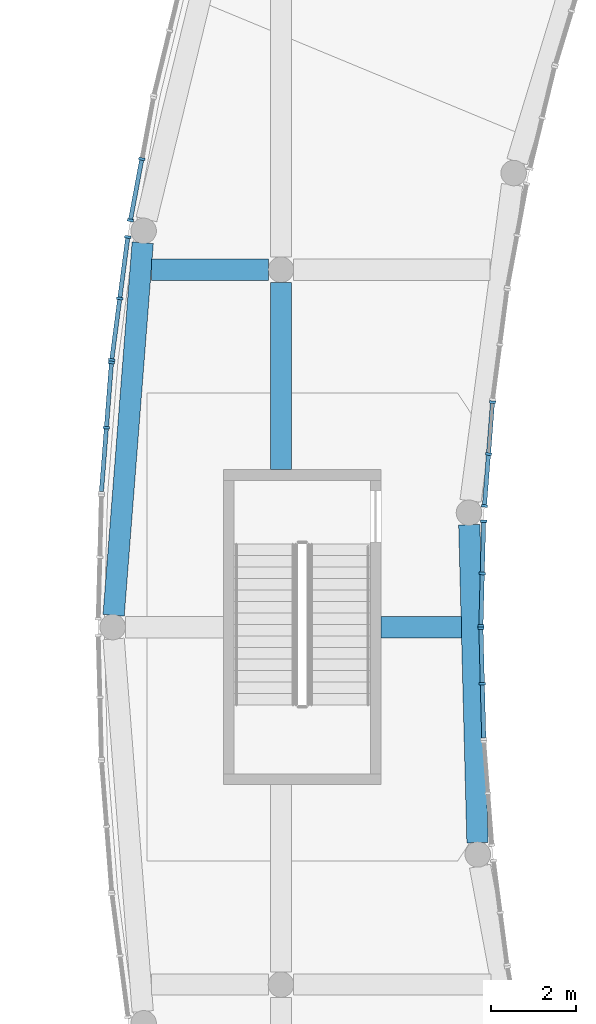
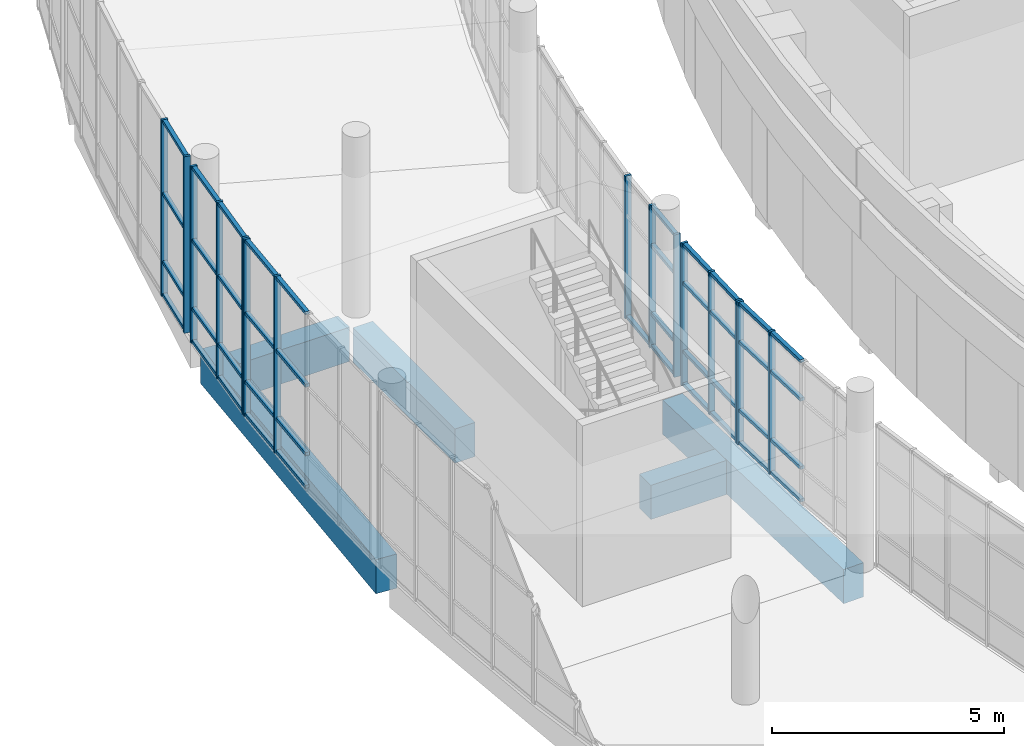
# One storey, part 19 of 119: 56 members, 5 beams, 6 elements without a shape of their own.
"""IFC4 building model written with IfcOpenShell, lengths in metres."""

import ifcopenshell
import ifcopenshell.guid

model = None  # the IFC model being written
_history = None  # IfcOwnerHistory: only IFC2X3 demands one
_inside = {}  # id of a spatial element -> (the spatial element, [elements in it])
_under = {}  # id of a project, library or spatial element -> (it, [spatial elements below it])
_declared = {}  # id of a project -> (the project, [libraries it declares])
_typed = {}  # id of a type object -> (the type object, [elements of that type])
_made_of = {}  # id of a material, layer set ... -> (it, [elements and type objects made of it])


def new_model(schema):
    """Start an empty IFC model of exactly this schema.

    Asked for "IFC4X3", IfcOpenShell would pick the latest addendum, in which some entities
    have other attributes; the version numbers below select the first issue.
    IFC2X3 requires an IfcOwnerHistory on every rooted entity: one is made here for all.
    """
    global model, _history
    if schema == "IFC4X3":
        model = ifcopenshell.file(schema_version=(4, 3, 0, 0))
    else:
        model = ifcopenshell.file(schema=schema)
    _inside.clear()
    _under.clear()
    _declared.clear()
    _typed.clear()
    _made_of.clear()
    _history = None
    if model.schema == "IFC2X3":
        org = make("IfcOrganization", Name="unknown")
        user = make(
            "IfcPersonAndOrganization",
            ThePerson=make("IfcPerson", FamilyName="unknown"),
            TheOrganization=org,
        )
        app = make(
            "IfcApplication",
            ApplicationDeveloper=org,
            Version="unknown",
            ApplicationFullName="unknown",
            ApplicationIdentifier="unknown",
        )
        _history = make(
            "IfcOwnerHistory",
            OwningUser=user,
            OwningApplication=app,
            ChangeAction="ADDED",
            CreationDate=0,
        )
    return model


def make(cls, **values):
    """One entity of the class cls with the attributes given. An attribute that is None is left unset."""
    return model.create_entity(
        cls, **{name: value for name, value in values.items() if value is not None}
    )


def rooted(cls, **values):
    """An entity with a GlobalId (a new one), such as an element, a storey or a relation."""
    return make(cls, GlobalId=ifcopenshell.guid.new(), OwnerHistory=_history, **values)


def si_unit(unit_type, name, prefix=None):
    """IfcSIUnit, for example si_unit("LENGTHUNIT", "METRE", prefix="MILLI")."""
    return make("IfcSIUnit", UnitType=unit_type, Prefix=prefix, Name=name)


def assignment(units):
    """IfcUnitAssignment: the units of a project."""
    return None if units is None else make("IfcUnitAssignment", Units=units)


def point(xyz):
    """IfcCartesianPoint."""
    return None if xyz is None else make("IfcCartesianPoint", Coordinates=xyz)


def direction(xyz):
    """IfcDirection."""
    return None if xyz is None else make("IfcDirection", DirectionRatios=xyz)


def frame(location, z_axis=None, x_axis=None):
    """IfcAxis2Placement3D, a coordinate frame: its origin and axes. An axis left out is left unset."""
    return make(
        "IfcAxis2Placement3D",
        Location=point(location),
        Axis=direction(z_axis),
        RefDirection=direction(x_axis),
    )


def frame_2d(location, x_axis=None):
    """IfcAxis2Placement2D, a coordinate frame in the plane: its origin and x axis."""
    return make(
        "IfcAxis2Placement2D", Location=point(location), RefDirection=direction(x_axis)
    )


def origin():
    """The frame at (0, 0, 0) with its axes left unset."""
    return frame((0.0, 0.0, 0.0))


def origin_2d():
    """The frame at (0, 0) in the plane with its x axis left unset."""
    return frame_2d((0.0, 0.0))


def place(relative_to, where):
    """IfcLocalPlacement: puts the frame where relative to a parent placement (None: the world)."""
    return make(
        "IfcLocalPlacement", PlacementRelTo=relative_to, RelativePlacement=where
    )


def context(
    kind, dimensions, precision=None, world=None, true_north=None, identifier=None
):
    """IfcGeometricRepresentationContext, for example the 3D "Model" context."""
    return make(
        "IfcGeometricRepresentationContext",
        ContextIdentifier=identifier,
        ContextType=kind,
        CoordinateSpaceDimension=dimensions,
        Precision=precision,
        WorldCoordinateSystem=world,
        TrueNorth=true_north,
    )


def subcontext(parent, identifier, kind, view, scale=None):
    """IfcGeometricRepresentationSubContext, for example "Body" below "Model"."""
    return make(
        "IfcGeometricRepresentationSubContext",
        ContextIdentifier=identifier,
        ContextType=kind,
        ParentContext=parent,
        TargetScale=scale,
        TargetView=view,
    )


def project(units=None, contexts=None):
    """IfcProject with its units and contexts."""
    return rooted(
        "IfcProject",
        Name="project",
        RepresentationContexts=contexts,
        UnitsInContext=assignment(units),
    )


def spatial(cls, under=None, at=None, **own):
    """A site, building, storey or space (cls), placed at a placement, below another one or the project."""
    s = rooted(cls, ObjectPlacement=at, **own)
    if under is not None:
        _under.setdefault(under.id(), (under, []))[1].append(s)
    return s


def profile(cls, at=None, kind="AREA", **sizes):
    """A parametric profile (cls). Its sizes go by their IFC names, for example OverallWidth=200.0."""
    return make(cls, ProfileType=kind, Position=at, **sizes)


def rectangle(**sizes):
    """IfcRectangleProfileDef."""
    return profile("IfcRectangleProfileDef", **sizes)


def extrude(swept, where, along, depth):
    """IfcExtrudedAreaSolid: the profile swept, set in the frame where, extruded along a direction by depth."""
    return make(
        "IfcExtrudedAreaSolid",
        SweptArea=swept,
        Position=where,
        ExtrudedDirection=direction(along),
        Depth=depth,
    )


def shape(context_of_items, identifier, shape_type, items):
    """IfcShapeRepresentation: the items that make up one representation, for example the "Body"."""
    return make(
        "IfcShapeRepresentation",
        ContextOfItems=context_of_items,
        RepresentationIdentifier=identifier,
        RepresentationType=shape_type,
        Items=items,
    )


def material(Name=None, Category=None):
    """IfcMaterial."""
    return make("IfcMaterial", Name=Name, Category=Category)


def layer(
    of_material, thickness, ventilated=None, Name=None, Category=None, Priority=None
):
    """IfcMaterialLayer: one layer of a wall or slab, of a material (None: an air gap)."""
    return make(
        "IfcMaterialLayer",
        Material=of_material,
        LayerThickness=thickness,
        IsVentilated=ventilated,
        Name=Name,
        Category=Category,
        Priority=Priority,
    )


def layer_set(layers, Name=None):
    """IfcMaterialLayerSet."""
    return make("IfcMaterialLayerSet", MaterialLayers=layers, LayerSetName=Name)


def material_profile(
    of_material, cross_section, Name=None, Category=None, Priority=None
):
    """IfcMaterialProfile: a cross section and its material."""
    return make(
        "IfcMaterialProfile",
        Name=Name,
        Material=of_material,
        Profile=cross_section,
        Priority=Priority,
        Category=Category,
    )


def profile_set(profiles, Name=None, composite=None):
    """IfcMaterialProfileSet."""
    return make(
        "IfcMaterialProfileSet",
        Name=Name,
        MaterialProfiles=profiles,
        CompositeProfile=composite,
    )


def made_of(thing, what):
    """Note that an element or type object is made of a material, layer set ...; save() writes the relation."""
    if what is not None:
        _made_of.setdefault(what.id(), (what, []))[1].append(thing)
    return thing


def type_object(cls, material=None, **own):
    """A type object (cls), such as IfcWallType, which elements share."""
    return made_of(rooted(cls, **own), material)


def element(
    cls,
    number,
    at=None,
    inside=None,
    cuts=None,
    type_object=None,
    material=None,
    context=None,
    identifier="Body",
    shape_type=None,
    held_by="IfcProductDefinitionShape",
    body=None,
    shapes=None,
    **own,
):
    """One element of the class cls, such as IfcWall. Its Tag is "e" and its number.

    at: its placement. inside: the storey or other place that contains it. cuts: it is an
    opening in that element (IfcRelVoidsElement). A single representation is given by context,
    identifier, shape_type and body (its items); several are given by shapes. held_by: the class
    of the entity that holds the representations. save() writes the other relations.
    """
    e = rooted(cls, Tag="e%d" % number, ObjectPlacement=at, **own)
    if body is not None:
        shapes = [shape(context, identifier, shape_type, body)]
    if shapes is not None:
        e.Representation = make(held_by, Representations=shapes)
    if inside is not None:
        _inside.setdefault(inside.id(), (inside, []))[1].append(e)
    if cuts is not None:
        rooted(
            "IfcRelVoidsElement", RelatingBuildingElement=cuts, RelatedOpeningElement=e
        )
    if type_object is not None:
        _typed.setdefault(type_object.id(), (type_object, []))[1].append(e)
    return made_of(e, material)


def aggregate(whole, parts):
    """IfcRelAggregates: a whole, such as a stair, and the parts it consists of."""
    return rooted("IfcRelAggregates", RelatingObject=whole, RelatedObjects=parts)


def save(model, path):
    """Write the relations noted so far, then the file.

    IfcRelAggregates (storeys below a building ...), IfcRelContainedInSpatialStructure (elements
    in a storey), IfcRelDefinesByType, IfcRelAssociatesMaterial and IfcRelDeclares: one each for
    every whole, place, type object, material and project.
    """
    for whole, parts in _under.values():
        aggregate(whole, parts)
    for where, things in _inside.values():
        rooted(
            "IfcRelContainedInSpatialStructure",
            RelatedElements=things,
            RelatingStructure=where,
        )
    for kind, things in _typed.values():
        rooted("IfcRelDefinesByType", RelatedObjects=things, RelatingType=kind)
    for what, things in _made_of.values():
        rooted("IfcRelAssociatesMaterial", RelatedObjects=things, RelatingMaterial=what)
    for by, libraries in _declared.values():
        rooted("IfcRelDeclares", RelatingContext=by, RelatedDefinitions=libraries)
    model.write(path)


model = new_model("IFC4")

# Units and contexts
model_context = context("Model", 3, precision=1e-05, world=origin(), true_north=direction((0.0, 1.0)))
body_context = subcontext(model_context, "Body", "Model", "MODEL_VIEW")
ifc_project = project(units=[si_unit("LENGTHUNIT", "METRE"), si_unit("AREAUNIT", "SQUARE_METRE"), si_unit("VOLUMEUNIT", "CUBIC_METRE"), si_unit("PLANEANGLEUNIT", "RADIAN"), si_unit("MASSUNIT", "GRAM", prefix="KILO")], contexts=[model_context])

# Site, building, storey
site_placement = place(None, origin())
site = spatial("IfcSite", under=ifc_project, at=site_placement, CompositionType="ELEMENT")
building_placement = place(site_placement, origin())
building = spatial("IfcBuilding", under=site, at=building_placement, Name="Larchfold Concert Hall", CompositionType="ELEMENT")
storey_placement = place(building_placement, frame((0.0, 0.0, 4.800048828125)))
storey = spatial("IfcBuildingStorey", under=building, at=storey_placement, Name="L01", CompositionType="ELEMENT", Elevation=4.800048828125)

# Curtain wall, members
ifc_material_1 = material(Name="Anodised graphite aluminium curtain wall", Category="aluminium")
ifc_layer = layer(ifc_material_1, 0.14990234375)
ifc_layer_set = layer_set([ifc_layer], Name="Anodised graphite aluminium curtain wall")
curtain_wall_type = type_object("IfcCurtainWallType", Name="Curtain wall WG", PredefinedType="NOTDEFINED", material=ifc_layer_set)
curtain_wall_1_placement = place(storey_placement, origin())
curtain_wall_1 = element("IfcCurtainWall", 1, at=curtain_wall_1_placement, inside=storey, type_object=curtain_wall_type, Name="Curtain wall CW0146", PredefinedType="NOTDEFINED")
ifc_material_2 = material(Name="Anodised graphite aluminium mullion", Category="aluminium")
ifc_material_profile_1 = material_profile(ifc_material_2, rectangle(XDim=0.14990234375, YDim=0.06005859375, at=origin_2d()))
ifc_profile_set_1 = profile_set([ifc_material_profile_1], Name="Anodised graphite aluminium mullion")
member_type_1 = type_object("IfcMemberType", Name="Aluminium mullion 60x150", PredefinedType="MULLION", material=ifc_profile_set_1)
member_1_placement = place(storey_placement, frame((13.733154296875, 83.269775390625, 0.0), z_axis=(0.0, 0.0, 1.0), x_axis=(-0.999667744222, -0.02577598033, 0.0)))
member_1 = element("IfcMember", 2, at=member_1_placement, type_object=member_type_1, Name="CW0146 mullion 2", PredefinedType="MULLION", context=body_context, shape_type="SweptSolid", body=[
    extrude(rectangle(XDim=0.14990234375, YDim=0.06005859375, at=origin_2d()), origin(), (0.0, 0.0, 1.0), 3.75),
])
member_2_placement = place(storey_placement, frame((13.699462890625, 84.570068359375, 0.0), z_axis=(0.0, 0.0, 1.0), x_axis=(-0.999667744222, -0.02577598033, 0.0)))
member_2 = element("IfcMember", 3, at=member_2_placement, type_object=member_type_1, Name="CW0146 mullion 3", PredefinedType="MULLION", context=body_context, shape_type="SweptSolid", body=[
    extrude(rectangle(XDim=0.14990234375, YDim=0.06005859375, at=origin_2d()), origin(), (0.0, 0.0, 1.0), 3.75),
])

curtain_wall_2_placement = place(storey_placement, origin())
curtain_wall_2 = element("IfcCurtainWall", 4, at=curtain_wall_2_placement, inside=storey, type_object=curtain_wall_type, Name="Curtain wall CW0147", PredefinedType="NOTDEFINED")
member_3_placement = place(storey_placement, frame((13.699462890625, 84.630126953125, 0.0), z_axis=(0.0, 0.0, 1.0), x_axis=(-0.999668113706, 0.025761646688, 0.0)))
member_3 = element("IfcMember", 5, at=member_3_placement, type_object=member_type_1, Name="CW0147 mullion 1", PredefinedType="MULLION", context=body_context, shape_type="SweptSolid", body=[
    extrude(rectangle(XDim=0.14990234375, YDim=0.06005859375, at=origin_2d()), origin(), (0.0, 0.0, 1.0), 3.75),
])
member_4_placement = place(storey_placement, frame((13.731201171875, 85.860107421875, 0.0), z_axis=(0.0, 0.0, 1.0), x_axis=(-0.999668113706, 0.025761646688, 0.0)))
member_4 = element("IfcMember", 6, at=member_4_placement, type_object=member_type_1, Name="CW0147 mullion 2", PredefinedType="MULLION", context=body_context, shape_type="SweptSolid", body=[
    extrude(rectangle(XDim=0.14990234375, YDim=0.06005859375, at=origin_2d()), origin(), (0.0, 0.0, 1.0), 3.75),
])
member_5_placement = place(storey_placement, frame((13.762939453125, 87.090087890625, 0.0), z_axis=(0.0, 0.0, 1.0), x_axis=(-0.999668113706, 0.025761646688, 0.0)))
member_5 = element("IfcMember", 7, at=member_5_placement, type_object=member_type_1, Name="CW0147 mullion 3", PredefinedType="MULLION", context=body_context, shape_type="SweptSolid", body=[
    extrude(rectangle(XDim=0.14990234375, YDim=0.06005859375, at=origin_2d()), origin(), (0.0, 0.0, 1.0), 3.75),
])

curtain_wall_3_placement = place(storey_placement, origin())
curtain_wall_3 = element("IfcCurtainWall", 8, at=curtain_wall_3_placement, inside=storey, type_object=curtain_wall_type, Name="Curtain wall CW0148", PredefinedType="NOTDEFINED")
member_6_placement = place(storey_placement, frame((13.781982421875, 87.44775390625, 0.0), z_axis=(0.0, 0.0, 1.0), x_axis=(-0.996988209709, 0.077553270089, 0.0)))
member_6 = element("IfcMember", 9, at=member_6_placement, type_object=member_type_1, Name="CW0148 mullion 1", PredefinedType="MULLION", context=body_context, shape_type="SweptSolid", body=[
    extrude(rectangle(XDim=0.14990234375, YDim=0.06005859375, at=origin_2d()), origin(), (0.0, 0.0, 1.0), 3.75),
])
member_7_placement = place(storey_placement, frame((13.876708984375, 88.666748046875, 0.0), z_axis=(0.0, 0.0, 1.0), x_axis=(-0.996988209709, 0.077553270089, 0.0)))
member_7 = element("IfcMember", 10, at=member_7_placement, type_object=member_type_1, Name="CW0148 mullion 2", PredefinedType="MULLION", context=body_context, shape_type="SweptSolid", body=[
    extrude(rectangle(XDim=0.14990234375, YDim=0.06005859375, at=origin_2d()), origin(), (0.0, 0.0, 1.0), 3.75),
])
member_8_placement = place(storey_placement, frame((13.971435546875, 89.885986328125, 0.0), z_axis=(0.0, 0.0, 1.0), x_axis=(-0.996988209709, 0.077553270089, 0.0)))
member_8 = element("IfcMember", 11, at=member_8_placement, type_object=member_type_1, Name="CW0148 mullion 3", PredefinedType="MULLION", context=body_context, shape_type="SweptSolid", body=[
    extrude(rectangle(XDim=0.14990234375, YDim=0.06005859375, at=origin_2d()), origin(), (0.0, 0.0, 1.0), 3.75),
])

curtain_wall_4_placement = place(storey_placement, origin())
curtain_wall_4 = element("IfcCurtainWall", 12, at=curtain_wall_4_placement, inside=storey, type_object=curtain_wall_type, Name="Curtain wall CW0192", PredefinedType="NOTDEFINED")
member_9_placement = place(storey_placement, frame((5.72998046875, 95.600341796875, 0.0), z_axis=(0.0, 0.0, 1.0), x_axis=(0.983234339724, -0.182346464695, 0.0)))
member_9 = element("IfcMember", 13, at=member_9_placement, type_object=member_type_1, Name="CW0192 mullion 2", PredefinedType="MULLION", context=body_context, shape_type="SweptSolid", body=[
    extrude(rectangle(XDim=0.14990234375, YDim=0.06005859375, at=origin_2d()), origin(), (0.0, 0.0, 1.0), 4.64990234375),
])
member_10_placement = place(storey_placement, frame((5.462646484375, 94.159423828125, 0.0), z_axis=(0.0, 0.0, 1.0), x_axis=(0.983234339724, -0.182346464695, 0.0)))
member_10 = element("IfcMember", 14, at=member_10_placement, type_object=member_type_1, Name="CW0192 mullion 3", PredefinedType="MULLION", context=body_context, shape_type="SweptSolid", body=[
    extrude(rectangle(XDim=0.14990234375, YDim=0.06005859375, at=origin_2d()), origin(), (0.0, 0.0, 1.0), 4.64990234375),
])

curtain_wall_5_placement = place(storey_placement, origin())
curtain_wall_5 = element("IfcCurtainWall", 15, at=curtain_wall_5_placement, inside=storey, type_object=curtain_wall_type, Name="Curtain wall CW0193", PredefinedType="NOTDEFINED")
member_11_placement = place(storey_placement, frame((5.40087890625, 93.767333984375, 0.0), z_axis=(0.0, 0.0, 1.0), x_axis=(0.991547671158, -0.129742883511, 0.0)))
member_11 = element("IfcMember", 16, at=member_11_placement, type_object=member_type_1, Name="CW0193 mullion 1", PredefinedType="MULLION", context=body_context, shape_type="SweptSolid", body=[
    extrude(rectangle(XDim=0.14990234375, YDim=0.06005859375, at=origin_2d()), origin(), (0.0, 0.0, 1.0), 4.64990234375),
])
member_12_placement = place(storey_placement, frame((5.2119140625, 92.322998046875, 0.0), z_axis=(0.0, 0.0, 1.0), x_axis=(0.991547671158, -0.129742883511, 0.0)))
member_12 = element("IfcMember", 17, at=member_12_placement, type_object=member_type_1, Name="CW0193 mullion 2", PredefinedType="MULLION", context=body_context, shape_type="SweptSolid", body=[
    extrude(rectangle(XDim=0.14990234375, YDim=0.06005859375, at=origin_2d()), origin(), (0.0, 0.0, 1.0), 4.64990234375),
])
member_13_placement = place(storey_placement, frame((5.02294921875, 90.87890625, 0.0), z_axis=(0.0, 0.0, 1.0), x_axis=(0.991547671158, -0.129742883511, 0.0)))
member_13 = element("IfcMember", 18, at=member_13_placement, type_object=member_type_1, Name="CW0193 mullion 3", PredefinedType="MULLION", context=body_context, shape_type="SweptSolid", body=[
    extrude(rectangle(XDim=0.14990234375, YDim=0.06005859375, at=origin_2d()), origin(), (0.0, 0.0, 1.0), 4.64990234375),
])

curtain_wall_6_placement = place(storey_placement, origin())
curtain_wall_6 = element("IfcCurtainWall", 19, at=curtain_wall_6_placement, inside=storey, type_object=curtain_wall_type, Name="Curtain wall CW0194", PredefinedType="NOTDEFINED")
member_14_placement = place(storey_placement, frame((5.0166015625, 90.819091796875, 0.0), z_axis=(0.0, 0.0, 1.0), x_axis=(0.996995051834, -0.077465260721, 0.0)))
member_14 = element("IfcMember", 20, at=member_14_placement, type_object=member_type_1, Name="CW0194 mullion 1", PredefinedType="MULLION", context=body_context, shape_type="SweptSolid", body=[
    extrude(rectangle(XDim=0.14990234375, YDim=0.06005859375, at=origin_2d()), origin(), (0.0, 0.0, 1.0), 4.64990234375),
])
member_15_placement = place(storey_placement, frame((4.897705078125, 89.28759765625, 0.0), z_axis=(0.0, 0.0, 1.0), x_axis=(0.996995051834, -0.077465260721, 0.0)))
member_15 = element("IfcMember", 21, at=member_15_placement, type_object=member_type_1, Name="CW0194 mullion 2", PredefinedType="MULLION", context=body_context, shape_type="SweptSolid", body=[
    extrude(rectangle(XDim=0.14990234375, YDim=0.06005859375, at=origin_2d()), origin(), (0.0, 0.0, 1.0), 4.64990234375),
])

# Member
ifc_material_3 = material(Name="Anodised graphite aluminium transom", Category="aluminium")
ifc_material_profile_2 = material_profile(ifc_material_3, rectangle(XDim=0.10009765625, YDim=0.080078125, at=origin_2d()))
ifc_profile_set_2 = profile_set([ifc_material_profile_2], Name="Anodised graphite aluminium transom")
member_type_2 = type_object("IfcMemberType", Name="Aluminium transom 80x100", PredefinedType="USERDEFINED", material=ifc_profile_set_2)
member_16_placement = place(storey_placement, frame((13.765869140625, 81.99951171875, 0.0400390625), z_axis=(-0.025778831666, 0.999667670698, 0.0), x_axis=(-0.999667670698, -0.025778831666, 0.0)))
member_16 = element("IfcMember", 22, at=member_16_placement, type_object=member_type_2, Name="CW0146 transom 1.1", ObjectType="TRANSOM", PredefinedType="USERDEFINED", context=body_context, shape_type="SweptSolid", body=[
    extrude(rectangle(XDim=0.10009765625, YDim=0.080078125, at=origin_2d()), origin(), (0.0, 0.0, 1.0), 1.24072265625),
])

member_17_placement = place(storey_placement, frame((13.765869140625, 81.99951171875, 0.89990234375), z_axis=(-0.025778831666, 0.999667670698, 0.0), x_axis=(-0.999667670698, -0.025778831666, 0.0)))
member_17 = element("IfcMember", 23, at=member_17_placement, type_object=member_type_2, Name="CW0146 transom 1.2", ObjectType="TRANSOM", PredefinedType="USERDEFINED", context=body_context, shape_type="SweptSolid", body=[
    extrude(rectangle(XDim=0.10009765625, YDim=0.080078125, at=origin_2d()), origin(), (0.0, 0.0, 1.0), 1.24072265625),
])

member_18_placement = place(storey_placement, frame((13.765869140625, 81.99951171875, 2.699951171875), z_axis=(-0.025778831666, 0.999667670698, 0.0), x_axis=(-0.999667670698, -0.025778831666, 0.0)))
member_18 = element("IfcMember", 24, at=member_18_placement, type_object=member_type_2, Name="CW0146 transom 1.3", ObjectType="TRANSOM", PredefinedType="USERDEFINED", context=body_context, shape_type="SweptSolid", body=[
    extrude(rectangle(XDim=0.10009765625, YDim=0.080078125, at=origin_2d()), origin(), (0.0, 0.0, 1.0), 1.24072265625),
])

member_19_placement = place(storey_placement, frame((13.765869140625, 81.99951171875, 3.7099609375), z_axis=(-0.025778831666, 0.999667670698, 0.0), x_axis=(-0.999667670698, -0.025778831666, 0.0)))
member_19 = element("IfcMember", 25, at=member_19_placement, type_object=member_type_2, Name="CW0146 transom 1.4", ObjectType="TRANSOM", PredefinedType="USERDEFINED", context=body_context, shape_type="SweptSolid", body=[
    extrude(rectangle(XDim=0.10009765625, YDim=0.080078125, at=origin_2d()), origin(), (0.0, 0.0, 1.0), 1.24072265625),
])

member_20_placement = place(storey_placement, frame((13.732177734375, 83.2998046875, 0.0400390625), z_axis=(-0.025778831666, 0.999667670698, 0.0), x_axis=(-0.999667670698, -0.025778831666, 0.0)))
member_20 = element("IfcMember", 26, at=member_20_placement, type_object=member_type_2, Name="CW0146 transom 2.1", ObjectType="TRANSOM", PredefinedType="USERDEFINED", context=body_context, shape_type="SweptSolid", body=[
    extrude(rectangle(XDim=0.10009765625, YDim=0.080078125, at=origin_2d()), origin(), (0.0, 0.0, 1.0), 1.24072265625),
])

member_21_placement = place(storey_placement, frame((13.732177734375, 83.2998046875, 0.89990234375), z_axis=(-0.025778831666, 0.999667670698, 0.0), x_axis=(-0.999667670698, -0.025778831666, 0.0)))
member_21 = element("IfcMember", 27, at=member_21_placement, type_object=member_type_2, Name="CW0146 transom 2.2", ObjectType="TRANSOM", PredefinedType="USERDEFINED", context=body_context, shape_type="SweptSolid", body=[
    extrude(rectangle(XDim=0.10009765625, YDim=0.080078125, at=origin_2d()), origin(), (0.0, 0.0, 1.0), 1.24072265625),
])

member_22_placement = place(storey_placement, frame((13.732177734375, 83.2998046875, 2.699951171875), z_axis=(-0.025778831666, 0.999667670698, 0.0), x_axis=(-0.999667670698, -0.025778831666, 0.0)))
member_22 = element("IfcMember", 28, at=member_22_placement, type_object=member_type_2, Name="CW0146 transom 2.3", ObjectType="TRANSOM", PredefinedType="USERDEFINED", context=body_context, shape_type="SweptSolid", body=[
    extrude(rectangle(XDim=0.10009765625, YDim=0.080078125, at=origin_2d()), origin(), (0.0, 0.0, 1.0), 1.24072265625),
])

member_23_placement = place(storey_placement, frame((13.732177734375, 83.2998046875, 3.7099609375), z_axis=(-0.025778831666, 0.999667670698, 0.0), x_axis=(-0.999667670698, -0.025778831666, 0.0)))
member_23 = element("IfcMember", 29, at=member_23_placement, type_object=member_type_2, Name="CW0146 transom 2.4", ObjectType="TRANSOM", PredefinedType="USERDEFINED", context=body_context, shape_type="SweptSolid", body=[
    extrude(rectangle(XDim=0.10009765625, YDim=0.080078125, at=origin_2d()), origin(), (0.0, 0.0, 1.0), 1.24072265625),
])

aggregate(curtain_wall_1, [member_1, member_2, member_16, member_17, member_18, member_19, member_20, member_21, member_22, member_23])

member_24_placement = place(storey_placement, frame((13.7001953125, 84.66015625, 0.0400390625), z_axis=(0.025867801791, 0.999665372427, 0.0), x_axis=(-0.999665372427, 0.025867801791, 0.0)))
member_24 = element("IfcMember", 30, at=member_24_placement, type_object=member_type_2, Name="CW0147 transom 1.1", ObjectType="TRANSOM", PredefinedType="USERDEFINED", context=body_context, shape_type="SweptSolid", body=[
    extrude(rectangle(XDim=0.10009765625, YDim=0.080078125, at=origin_2d()), origin(), (0.0, 0.0, 1.0), 1.17041015625),
])

member_25_placement = place(storey_placement, frame((13.7001953125, 84.66015625, 0.89990234375), z_axis=(0.025867801791, 0.999665372427, 0.0), x_axis=(-0.999665372427, 0.025867801791, 0.0)))
member_25 = element("IfcMember", 31, at=member_25_placement, type_object=member_type_2, Name="CW0147 transom 1.2", ObjectType="TRANSOM", PredefinedType="USERDEFINED", context=body_context, shape_type="SweptSolid", body=[
    extrude(rectangle(XDim=0.10009765625, YDim=0.080078125, at=origin_2d()), origin(), (0.0, 0.0, 1.0), 1.17041015625),
])

member_26_placement = place(storey_placement, frame((13.7001953125, 84.66015625, 2.699951171875), z_axis=(0.025867801791, 0.999665372427, 0.0), x_axis=(-0.999665372427, 0.025867801791, 0.0)))
member_26 = element("IfcMember", 32, at=member_26_placement, type_object=member_type_2, Name="CW0147 transom 1.3", ObjectType="TRANSOM", PredefinedType="USERDEFINED", context=body_context, shape_type="SweptSolid", body=[
    extrude(rectangle(XDim=0.10009765625, YDim=0.080078125, at=origin_2d()), origin(), (0.0, 0.0, 1.0), 1.17041015625),
])

member_27_placement = place(storey_placement, frame((13.7001953125, 84.66015625, 3.7099609375), z_axis=(0.025867801791, 0.999665372427, 0.0), x_axis=(-0.999665372427, 0.025867801791, 0.0)))
member_27 = element("IfcMember", 33, at=member_27_placement, type_object=member_type_2, Name="CW0147 transom 1.4", ObjectType="TRANSOM", PredefinedType="USERDEFINED", context=body_context, shape_type="SweptSolid", body=[
    extrude(rectangle(XDim=0.10009765625, YDim=0.080078125, at=origin_2d()), origin(), (0.0, 0.0, 1.0), 1.17041015625),
])

member_28_placement = place(storey_placement, frame((13.73193359375, 85.89013671875, 0.0400390625), z_axis=(0.025867801791, 0.999665372427, 0.0), x_axis=(-0.999665372427, 0.025867801791, 0.0)))
member_28 = element("IfcMember", 34, at=member_28_placement, type_object=member_type_2, Name="CW0147 transom 2.1", ObjectType="TRANSOM", PredefinedType="USERDEFINED", context=body_context, shape_type="SweptSolid", body=[
    extrude(rectangle(XDim=0.10009765625, YDim=0.080078125, at=origin_2d()), origin(), (0.0, 0.0, 1.0), 1.17041015625),
])

member_29_placement = place(storey_placement, frame((13.73193359375, 85.89013671875, 0.89990234375), z_axis=(0.025867801791, 0.999665372427, 0.0), x_axis=(-0.999665372427, 0.025867801791, 0.0)))
member_29 = element("IfcMember", 35, at=member_29_placement, type_object=member_type_2, Name="CW0147 transom 2.2", ObjectType="TRANSOM", PredefinedType="USERDEFINED", context=body_context, shape_type="SweptSolid", body=[
    extrude(rectangle(XDim=0.10009765625, YDim=0.080078125, at=origin_2d()), origin(), (0.0, 0.0, 1.0), 1.17041015625),
])

member_30_placement = place(storey_placement, frame((13.73193359375, 85.89013671875, 2.699951171875), z_axis=(0.025867801791, 0.999665372427, 0.0), x_axis=(-0.999665372427, 0.025867801791, 0.0)))
member_30 = element("IfcMember", 36, at=member_30_placement, type_object=member_type_2, Name="CW0147 transom 2.3", ObjectType="TRANSOM", PredefinedType="USERDEFINED", context=body_context, shape_type="SweptSolid", body=[
    extrude(rectangle(XDim=0.10009765625, YDim=0.080078125, at=origin_2d()), origin(), (0.0, 0.0, 1.0), 1.17041015625),
])

member_31_placement = place(storey_placement, frame((13.73193359375, 85.89013671875, 3.7099609375), z_axis=(0.025867801791, 0.999665372427, 0.0), x_axis=(-0.999665372427, 0.025867801791, 0.0)))
member_31 = element("IfcMember", 37, at=member_31_placement, type_object=member_type_2, Name="CW0147 transom 2.4", ObjectType="TRANSOM", PredefinedType="USERDEFINED", context=body_context, shape_type="SweptSolid", body=[
    extrude(rectangle(XDim=0.10009765625, YDim=0.080078125, at=origin_2d()), origin(), (0.0, 0.0, 1.0), 1.17041015625),
])

aggregate(curtain_wall_2, [member_3, member_4, member_5, member_24, member_25, member_26, member_27, member_28, member_29, member_30, member_31])

member_32_placement = place(storey_placement, frame((13.7841796875, 87.4775390625, 0.0400390625), z_axis=(0.077467071428, 0.996994911143, 0.0), x_axis=(-0.996994911143, 0.077467071428, 0.0)))
member_32 = element("IfcMember", 38, at=member_32_placement, type_object=member_type_2, Name="CW0148 transom 1.1", ObjectType="TRANSOM", PredefinedType="USERDEFINED", context=body_context, shape_type="SweptSolid", body=[
    extrude(rectangle(XDim=0.10009765625, YDim=0.080078125, at=origin_2d()), origin(), (0.0, 0.0, 1.0), 1.162841796875),
])

member_33_placement = place(storey_placement, frame((13.7841796875, 87.4775390625, 0.89990234375), z_axis=(0.077467071428, 0.996994911143, 0.0), x_axis=(-0.996994911143, 0.077467071428, 0.0)))
member_33 = element("IfcMember", 39, at=member_33_placement, type_object=member_type_2, Name="CW0148 transom 1.2", ObjectType="TRANSOM", PredefinedType="USERDEFINED", context=body_context, shape_type="SweptSolid", body=[
    extrude(rectangle(XDim=0.10009765625, YDim=0.080078125, at=origin_2d()), origin(), (0.0, 0.0, 1.0), 1.162841796875),
])

member_34_placement = place(storey_placement, frame((13.7841796875, 87.4775390625, 2.699951171875), z_axis=(0.077467071428, 0.996994911143, 0.0), x_axis=(-0.996994911143, 0.077467071428, 0.0)))
member_34 = element("IfcMember", 40, at=member_34_placement, type_object=member_type_2, Name="CW0148 transom 1.3", ObjectType="TRANSOM", PredefinedType="USERDEFINED", context=body_context, shape_type="SweptSolid", body=[
    extrude(rectangle(XDim=0.10009765625, YDim=0.080078125, at=origin_2d()), origin(), (0.0, 0.0, 1.0), 1.162841796875),
])

member_35_placement = place(storey_placement, frame((13.7841796875, 87.4775390625, 3.7099609375), z_axis=(0.077467071428, 0.996994911143, 0.0), x_axis=(-0.996994911143, 0.077467071428, 0.0)))
member_35 = element("IfcMember", 41, at=member_35_placement, type_object=member_type_2, Name="CW0148 transom 1.4", ObjectType="TRANSOM", PredefinedType="USERDEFINED", context=body_context, shape_type="SweptSolid", body=[
    extrude(rectangle(XDim=0.10009765625, YDim=0.080078125, at=origin_2d()), origin(), (0.0, 0.0, 1.0), 1.162841796875),
])

member_36_placement = place(storey_placement, frame((13.879150390625, 88.69677734375, 0.0400390625), z_axis=(0.077467071428, 0.996994911143, 0.0), x_axis=(-0.996994911143, 0.077467071428, 0.0)))
member_36 = element("IfcMember", 42, at=member_36_placement, type_object=member_type_2, Name="CW0148 transom 2.1", ObjectType="TRANSOM", PredefinedType="USERDEFINED", context=body_context, shape_type="SweptSolid", body=[
    extrude(rectangle(XDim=0.10009765625, YDim=0.080078125, at=origin_2d()), origin(), (0.0, 0.0, 1.0), 1.162841796875),
])

aggregate(curtain_wall_3, [member_6, member_7, member_8, member_32, member_33, member_34, member_35, member_36])

member_37_placement = place(storey_placement, frame((5.724609375, 95.57080078125, 0.0400390625), z_axis=(-0.182400278452, -0.98322435813, 0.0), x_axis=(0.98322435813, -0.182400278452, 0.0)))
member_37 = element("IfcMember", 43, at=member_37_placement, type_object=member_type_2, Name="CW0192 transom 2.1", ObjectType="TRANSOM", PredefinedType="USERDEFINED", context=body_context, shape_type="SweptSolid", body=[
    extrude(rectangle(XDim=0.10009765625, YDim=0.080078125, at=origin_2d()), origin(), (0.0, 0.0, 1.0), 1.405517578125),
])

member_38_placement = place(storey_placement, frame((5.724609375, 95.57080078125, 0.89990234375), z_axis=(-0.182400278452, -0.98322435813, 0.0), x_axis=(0.98322435813, -0.182400278452, 0.0)))
member_38 = element("IfcMember", 44, at=member_38_placement, type_object=member_type_2, Name="CW0192 transom 2.2", ObjectType="TRANSOM", PredefinedType="USERDEFINED", context=body_context, shape_type="SweptSolid", body=[
    extrude(rectangle(XDim=0.10009765625, YDim=0.080078125, at=origin_2d()), origin(), (0.0, 0.0, 1.0), 1.405517578125),
])

member_39_placement = place(storey_placement, frame((5.724609375, 95.57080078125, 2.699951171875), z_axis=(-0.182400278452, -0.98322435813, 0.0), x_axis=(0.98322435813, -0.182400278452, 0.0)))
member_39 = element("IfcMember", 45, at=member_39_placement, type_object=member_type_2, Name="CW0192 transom 2.3", ObjectType="TRANSOM", PredefinedType="USERDEFINED", context=body_context, shape_type="SweptSolid", body=[
    extrude(rectangle(XDim=0.10009765625, YDim=0.080078125, at=origin_2d()), origin(), (0.0, 0.0, 1.0), 1.405517578125),
])

member_40_placement = place(storey_placement, frame((5.724609375, 95.57080078125, 4.60986328125), z_axis=(-0.182400278452, -0.98322435813, 0.0), x_axis=(0.98322435813, -0.182400278452, 0.0)))
member_40 = element("IfcMember", 46, at=member_40_placement, type_object=member_type_2, Name="CW0192 transom 2.4", ObjectType="TRANSOM", PredefinedType="USERDEFINED", context=body_context, shape_type="SweptSolid", body=[
    extrude(rectangle(XDim=0.10009765625, YDim=0.080078125, at=origin_2d()), origin(), (0.0, 0.0, 1.0), 1.405517578125),
])

aggregate(curtain_wall_4, [member_9, member_10, member_37, member_38, member_39, member_40])

member_41_placement = place(storey_placement, frame((5.39697265625, 93.737548828125, 0.0400390625), z_axis=(-0.129712850417, -0.991551600491, 0.0), x_axis=(0.991551600491, -0.129712850417, 0.0)))
member_41 = element("IfcMember", 47, at=member_41_placement, type_object=member_type_2, Name="CW0193 transom 1.1", ObjectType="TRANSOM", PredefinedType="USERDEFINED", context=body_context, shape_type="SweptSolid", body=[
    extrude(rectangle(XDim=0.10009765625, YDim=0.080078125, at=origin_2d()), origin(), (0.0, 0.0, 1.0), 1.396484375),
])

member_42_placement = place(storey_placement, frame((5.39697265625, 93.737548828125, 0.89990234375), z_axis=(-0.129712850417, -0.991551600491, 0.0), x_axis=(0.991551600491, -0.129712850417, 0.0)))
member_42 = element("IfcMember", 48, at=member_42_placement, type_object=member_type_2, Name="CW0193 transom 1.2", ObjectType="TRANSOM", PredefinedType="USERDEFINED", context=body_context, shape_type="SweptSolid", body=[
    extrude(rectangle(XDim=0.10009765625, YDim=0.080078125, at=origin_2d()), origin(), (0.0, 0.0, 1.0), 1.396484375),
])

member_43_placement = place(storey_placement, frame((5.39697265625, 93.737548828125, 2.699951171875), z_axis=(-0.129712850417, -0.991551600491, 0.0), x_axis=(0.991551600491, -0.129712850417, 0.0)))
member_43 = element("IfcMember", 49, at=member_43_placement, type_object=member_type_2, Name="CW0193 transom 1.3", ObjectType="TRANSOM", PredefinedType="USERDEFINED", context=body_context, shape_type="SweptSolid", body=[
    extrude(rectangle(XDim=0.10009765625, YDim=0.080078125, at=origin_2d()), origin(), (0.0, 0.0, 1.0), 1.396484375),
])

member_44_placement = place(storey_placement, frame((5.39697265625, 93.737548828125, 4.60986328125), z_axis=(-0.129712850417, -0.991551600491, 0.0), x_axis=(0.991551600491, -0.129712850417, 0.0)))
member_44 = element("IfcMember", 50, at=member_44_placement, type_object=member_type_2, Name="CW0193 transom 1.4", ObjectType="TRANSOM", PredefinedType="USERDEFINED", context=body_context, shape_type="SweptSolid", body=[
    extrude(rectangle(XDim=0.10009765625, YDim=0.080078125, at=origin_2d()), origin(), (0.0, 0.0, 1.0), 1.396484375),
])

member_45_placement = place(storey_placement, frame((5.2080078125, 92.29345703125, 0.0400390625), z_axis=(-0.129712850417, -0.991551600491, 0.0), x_axis=(0.991551600491, -0.129712850417, 0.0)))
member_45 = element("IfcMember", 51, at=member_45_placement, type_object=member_type_2, Name="CW0193 transom 2.1", ObjectType="TRANSOM", PredefinedType="USERDEFINED", context=body_context, shape_type="SweptSolid", body=[
    extrude(rectangle(XDim=0.10009765625, YDim=0.080078125, at=origin_2d()), origin(), (0.0, 0.0, 1.0), 1.396484375),
])

member_46_placement = place(storey_placement, frame((5.2080078125, 92.29345703125, 0.89990234375), z_axis=(-0.129712850417, -0.991551600491, 0.0), x_axis=(0.991551600491, -0.129712850417, 0.0)))
member_46 = element("IfcMember", 52, at=member_46_placement, type_object=member_type_2, Name="CW0193 transom 2.2", ObjectType="TRANSOM", PredefinedType="USERDEFINED", context=body_context, shape_type="SweptSolid", body=[
    extrude(rectangle(XDim=0.10009765625, YDim=0.080078125, at=origin_2d()), origin(), (0.0, 0.0, 1.0), 1.396484375),
])

member_47_placement = place(storey_placement, frame((5.2080078125, 92.29345703125, 2.699951171875), z_axis=(-0.129712850417, -0.991551600491, 0.0), x_axis=(0.991551600491, -0.129712850417, 0.0)))
member_47 = element("IfcMember", 53, at=member_47_placement, type_object=member_type_2, Name="CW0193 transom 2.3", ObjectType="TRANSOM", PredefinedType="USERDEFINED", context=body_context, shape_type="SweptSolid", body=[
    extrude(rectangle(XDim=0.10009765625, YDim=0.080078125, at=origin_2d()), origin(), (0.0, 0.0, 1.0), 1.396484375),
])

member_48_placement = place(storey_placement, frame((5.2080078125, 92.29345703125, 4.60986328125), z_axis=(-0.129712850417, -0.991551600491, 0.0), x_axis=(0.991551600491, -0.129712850417, 0.0)))
member_48 = element("IfcMember", 54, at=member_48_placement, type_object=member_type_2, Name="CW0193 transom 2.4", ObjectType="TRANSOM", PredefinedType="USERDEFINED", context=body_context, shape_type="SweptSolid", body=[
    extrude(rectangle(XDim=0.10009765625, YDim=0.080078125, at=origin_2d()), origin(), (0.0, 0.0, 1.0), 1.396484375),
])

aggregate(curtain_wall_5, [member_11, member_12, member_13, member_41, member_42, member_43, member_44, member_45, member_46, member_47, member_48])

member_49_placement = place(storey_placement, frame((5.014404296875, 90.789306640625, 0.0400390625), z_axis=(-0.077391996533, -0.997000741661, 0.0), x_axis=(0.997000741661, -0.077391996533, 0.0)))
member_49 = element("IfcMember", 55, at=member_49_placement, type_object=member_type_2, Name="CW0194 transom 1.1", ObjectType="TRANSOM", PredefinedType="USERDEFINED", context=body_context, shape_type="SweptSolid", body=[
    extrude(rectangle(XDim=0.10009765625, YDim=0.080078125, at=origin_2d()), origin(), (0.0, 0.0, 1.0), 1.476318359375),
])

member_50_placement = place(storey_placement, frame((5.014404296875, 90.789306640625, 0.89990234375), z_axis=(-0.077391996533, -0.997000741661, 0.0), x_axis=(0.997000741661, -0.077391996533, 0.0)))
member_50 = element("IfcMember", 56, at=member_50_placement, type_object=member_type_2, Name="CW0194 transom 1.2", ObjectType="TRANSOM", PredefinedType="USERDEFINED", context=body_context, shape_type="SweptSolid", body=[
    extrude(rectangle(XDim=0.10009765625, YDim=0.080078125, at=origin_2d()), origin(), (0.0, 0.0, 1.0), 1.476318359375),
])

member_51_placement = place(storey_placement, frame((5.014404296875, 90.789306640625, 2.699951171875), z_axis=(-0.077391996533, -0.997000741661, 0.0), x_axis=(0.997000741661, -0.077391996533, 0.0)))
member_51 = element("IfcMember", 57, at=member_51_placement, type_object=member_type_2, Name="CW0194 transom 1.3", ObjectType="TRANSOM", PredefinedType="USERDEFINED", context=body_context, shape_type="SweptSolid", body=[
    extrude(rectangle(XDim=0.10009765625, YDim=0.080078125, at=origin_2d()), origin(), (0.0, 0.0, 1.0), 1.476318359375),
])

member_52_placement = place(storey_placement, frame((5.014404296875, 90.789306640625, 4.60986328125), z_axis=(-0.077391996533, -0.997000741661, 0.0), x_axis=(0.997000741661, -0.077391996533, 0.0)))
member_52 = element("IfcMember", 58, at=member_52_placement, type_object=member_type_2, Name="CW0194 transom 1.4", ObjectType="TRANSOM", PredefinedType="USERDEFINED", context=body_context, shape_type="SweptSolid", body=[
    extrude(rectangle(XDim=0.10009765625, YDim=0.080078125, at=origin_2d()), origin(), (0.0, 0.0, 1.0), 1.476318359375),
])

member_53_placement = place(storey_placement, frame((4.895263671875, 89.257568359375, 0.0400390625), z_axis=(-0.077391996533, -0.997000741661, 0.0), x_axis=(0.997000741661, -0.077391996533, 0.0)))
member_53 = element("IfcMember", 59, at=member_53_placement, type_object=member_type_2, Name="CW0194 transom 2.1", ObjectType="TRANSOM", PredefinedType="USERDEFINED", context=body_context, shape_type="SweptSolid", body=[
    extrude(rectangle(XDim=0.10009765625, YDim=0.080078125, at=origin_2d()), origin(), (0.0, 0.0, 1.0), 1.476318359375),
])

member_54_placement = place(storey_placement, frame((4.895263671875, 89.257568359375, 0.89990234375), z_axis=(-0.077391996533, -0.997000741661, 0.0), x_axis=(0.997000741661, -0.077391996533, 0.0)))
member_54 = element("IfcMember", 60, at=member_54_placement, type_object=member_type_2, Name="CW0194 transom 2.2", ObjectType="TRANSOM", PredefinedType="USERDEFINED", context=body_context, shape_type="SweptSolid", body=[
    extrude(rectangle(XDim=0.10009765625, YDim=0.080078125, at=origin_2d()), origin(), (0.0, 0.0, 1.0), 1.476318359375),
])

member_55_placement = place(storey_placement, frame((4.895263671875, 89.257568359375, 2.699951171875), z_axis=(-0.077391996533, -0.997000741661, 0.0), x_axis=(0.997000741661, -0.077391996533, 0.0)))
member_55 = element("IfcMember", 61, at=member_55_placement, type_object=member_type_2, Name="CW0194 transom 2.3", ObjectType="TRANSOM", PredefinedType="USERDEFINED", context=body_context, shape_type="SweptSolid", body=[
    extrude(rectangle(XDim=0.10009765625, YDim=0.080078125, at=origin_2d()), origin(), (0.0, 0.0, 1.0), 1.476318359375),
])

member_56_placement = place(storey_placement, frame((4.895263671875, 89.257568359375, 4.60986328125), z_axis=(-0.077391996533, -0.997000741661, 0.0), x_axis=(0.997000741661, -0.077391996533, 0.0)))
member_56 = element("IfcMember", 62, at=member_56_placement, type_object=member_type_2, Name="CW0194 transom 2.4", ObjectType="TRANSOM", PredefinedType="USERDEFINED", context=body_context, shape_type="SweptSolid", body=[
    extrude(rectangle(XDim=0.10009765625, YDim=0.080078125, at=origin_2d()), origin(), (0.0, 0.0, 1.0), 1.476318359375),
])

aggregate(curtain_wall_6, [member_14, member_15, member_49, member_50, member_51, member_52, member_53, member_54, member_55, member_56])

# Beams
ifc_material_4 = material(Name="Concrete C35/45", Category="concrete")
ifc_material_profile_3 = material_profile(ifc_material_4, rectangle(XDim=0.5, YDim=0.89990234375, at=origin_2d()))
ifc_profile_set_3 = profile_set([ifc_material_profile_3], Name="Concrete C35/45")
beam_type = type_object("IfcBeamType", Name="Beam RC 500x900", PredefinedType="BEAM", material=ifc_profile_set_3)
beam_1_placement = place(storey_placement, frame((5.06787109375, 84.879150390625, -0.60009765625), z_axis=(0.07783627425, 0.996966155098, 0.0), x_axis=(-0.996966155098, 0.07783627425, 0.0)))
element("IfcBeam", 63, at=beam_1_placement, inside=storey, type_object=beam_type, Name="Beam B1872", PredefinedType="BEAM", context=body_context, shape_type="SweptSolid", body=[
    extrude(rectangle(XDim=0.5, YDim=0.89990234375, at=origin_2d()), origin(), (0.0, 0.0, 1.0), 8.779296875),
])
beam_2_placement = place(storey_placement, frame((13.42529296875, 87.008056640625, -0.60009765625), z_axis=(0.025741418346, -0.999668634789, 0.0), x_axis=(0.999668634789, 0.025741418346, 0.0)))
element("IfcBeam", 64, at=beam_2_placement, inside=storey, type_object=beam_type, Name="Beam B1888", PredefinedType="BEAM", context=body_context, shape_type="SweptSolid", body=[
    extrude(rectangle(XDim=0.5, YDim=0.89990234375, at=origin_2d()), origin(), (0.0, 0.0, 1.0), 7.4736328125),
])
beam_3_placement = place(storey_placement, frame((9.0, 88.300048828125, -0.60009765625), z_axis=(0.0, 1.0, 0.0), x_axis=(-1.0, 0.0, 0.0)))
element("IfcBeam", 65, at=beam_3_placement, inside=storey, type_object=beam_type, Name="Beam B1894", PredefinedType="BEAM", context=body_context, shape_type="SweptSolid", body=[
    extrude(rectangle(XDim=0.5, YDim=0.89990234375, at=origin_2d()), origin(), (0.0, 0.0, 1.0), 4.401123046875),
])
beam_4_placement = place(storey_placement, frame((11.35009765625, 84.60009765625, -0.60009765625), z_axis=(1.0, 0.0, 0.0), x_axis=(0.0, 1.0, 0.0)))
element("IfcBeam", 66, at=beam_4_placement, inside=storey, type_object=beam_type, Name="Beam B1923", PredefinedType="BEAM", context=body_context, shape_type="SweptSolid", body=[
    extrude(rectangle(XDim=0.5, YDim=0.89990234375, at=origin_2d()), origin(), (0.0, 0.0, 1.0), 1.88720703125),
])
beam_5_placement = place(storey_placement, frame((5.95263671875, 93.0, -0.60009765625), z_axis=(1.0, 0.0, 0.0), x_axis=(0.0, 1.0, 0.0)))
element("IfcBeam", 67, at=beam_5_placement, inside=storey, type_object=beam_type, Name="Beam B1924", PredefinedType="BEAM", context=body_context, shape_type="SweptSolid", body=[
    extrude(rectangle(XDim=0.5, YDim=0.89990234375, at=origin_2d()), origin(), (0.0, 0.0, 1.0), 2.74853515625),
])

save(model, "model.ifc")
